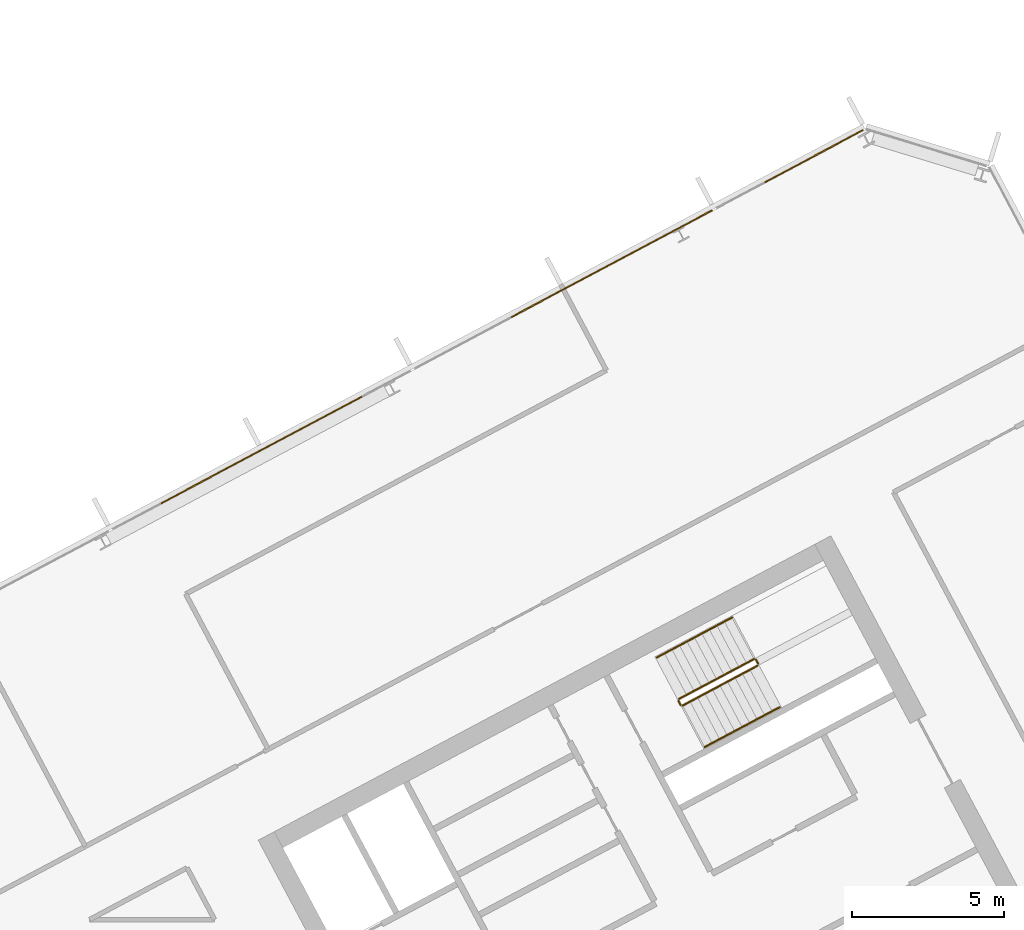
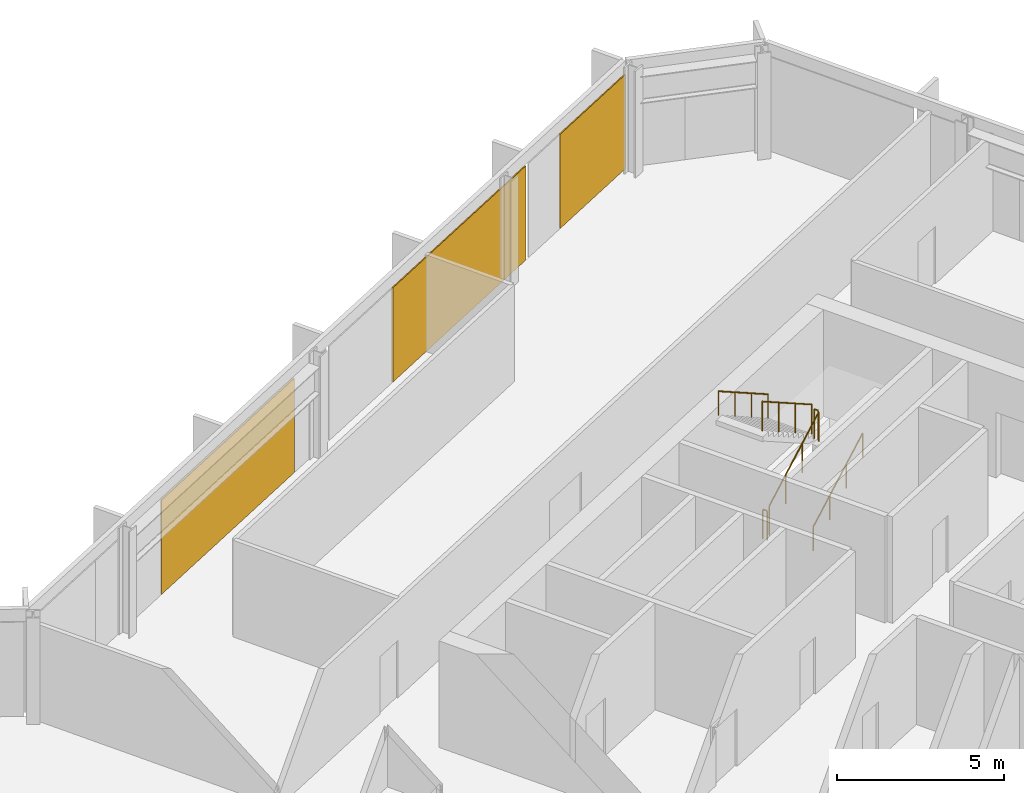
# One storey, part 25 of 26: 6 railings, 3 coverings, 1 element without a shape of its own.
"""IFC4 building model written with IfcOpenShell, lengths in metres."""

from ifc_helpers import new_model, si_unit, direction, frame, origin, origin_2d, place, context, subcontext, project, spatial, polyline, rectangle, outline, extrude, material, layer, layer_set, type_object, element, aggregate, save


model = new_model("IFC4")

# Units and contexts
model_context = context("Model", 3, precision=1e-05, world=origin(), true_north=direction((0.0, 1.0)))
body_context = subcontext(model_context, "Body", "Model", "MODEL_VIEW")
ifc_project = project(units=[si_unit("LENGTHUNIT", "METRE"), si_unit("AREAUNIT", "SQUARE_METRE"), si_unit("VOLUMEUNIT", "CUBIC_METRE"), si_unit("PLANEANGLEUNIT", "RADIAN"), si_unit("MASSUNIT", "GRAM", prefix="KILO")], contexts=[model_context])

# Site, building, storey
site_placement = place(None, origin())
site = spatial("IfcSite", under=ifc_project, at=site_placement, CompositionType="ELEMENT")
building_placement = place(site_placement, origin())
building = spatial("IfcBuilding", under=site, at=building_placement, Name="Cormorant Relay Tower", CompositionType="ELEMENT")
storey_placement = place(building_placement, frame((0.0, 0.0, 228.60009765625)))
storey = spatial("IfcBuildingStorey", under=building, at=storey_placement, Name="L50", CompositionType="ELEMENT", Elevation=228.60009765625)

# Curtain wall, coverings
ifc_material_1 = material(Name="Aluminium 6063-T6 anodised bronze", Category="aluminium")
ifc_layer_1 = layer(ifc_material_1, 0.199951171875)
ifc_layer_set_1 = layer_set([ifc_layer_1], Name="CW1 unitised bronze curtain wall with vertical fins")
curtain_wall_type = type_object("IfcCurtainWallType", Name="CW1 unitised bronze curtain wall with vertical fins", PredefinedType="NOTDEFINED", material=ifc_layer_set_1)
curtain_wall_placement = place(storey_placement, origin())
curtain_wall = element("IfcCurtainWall", 1, at=curtain_wall_placement, inside=storey, type_object=curtain_wall_type, Name="CW1 curtain wall 8", PredefinedType="NOTDEFINED")
ifc_material_2 = material(Name="Pale bronze anodised aluminium insulated panel", Category="aluminium")
ifc_layer_2 = layer(ifc_material_2, 0.0400390625)
ifc_layer_set_2 = layer_set([ifc_layer_2], Name="CW1 pale bronze insulated panel 40")
covering_type = type_object("IfcCoveringType", Name="CW1 pale bronze insulated panel 40", PredefinedType="CLADDING", material=ifc_layer_set_2)
covering_1_placement = place(storey_placement, frame((28.16943359375, 38.78466796875, 0.0), z_axis=(0.0, 0.0, 1.0), x_axis=(-0.882947592859, -0.469471562786, 0.0)))
covering_1 = element("IfcCovering", 2, at=covering_1_placement, type_object=covering_type, Name="CW1 panel S00", PredefinedType="CLADDING", context=body_context, shape_type="SweptSolid", body=[
    extrude(rectangle(XDim=3.68896484375, YDim=0.0400390625, at=origin_2d()), origin(), (0.0, 0.0, 1.0), 3.449951171875),
])
covering_2_placement = place(storey_placement, frame((21.49560546875, 35.236083984375, 0.0), z_axis=(0.0, 0.0, 1.0), x_axis=(-0.882947592859, -0.469471562786, 0.0)))
covering_2 = element("IfcCovering", 3, at=covering_2_placement, type_object=covering_type, Name="CW1 panel S02", PredefinedType="CLADDING", context=body_context, shape_type="SweptSolid", body=[
    extrude(rectangle(XDim=7.528076171875, YDim=0.0400390625, at=origin_2d()), origin(), (0.0, 0.0, 1.0), 3.449951171875),
])
covering_3_placement = place(storey_placement, frame((9.948486328125, 29.09619140625, 0.0), z_axis=(0.0, 0.0, 1.0), x_axis=(-0.882947592859, -0.469471562786, 0.0)))
covering_3 = element("IfcCovering", 4, at=covering_3_placement, type_object=covering_type, Name="CW1 panel S05", PredefinedType="CLADDING", context=body_context, shape_type="SweptSolid", body=[
    extrude(rectangle(XDim=7.528076171875, YDim=0.0400390625, at=origin_2d()), origin(), (0.0, 0.0, 1.0), 3.449951171875),
])
aggregate(curtain_wall, [covering_1, covering_2, covering_3])

# Railings
ifc_material_3 = material(Name="Steel ASTM A572 Grade 50 (Fy 345 MPa)", Category="steel")
railing_type_1 = type_object("IfcRailingType", Name="Stair guard 1100", PredefinedType="GUARDRAIL", material=ifc_material_3)
railing_1_placement = place(storey_placement, frame((23.8408203125, 20.6611328125, 0.17724609375)))
element("IfcRailing", 5, at=railing_1_placement, inside=storey, type_object=railing_type_1, Name="L50 B2 stair guard 1", PredefinedType="GUARDRAIL", context=body_context, shape_type="SweptSolid", body=[
    extrude(outline(polyline([(0.022216796875, 0.00927734375), (0.00927734375, 0.022216796875), (-0.00927734375, 0.022216796875), (-0.022216796875, 0.00927734375), (-0.022216796875, -0.00927734375), (-0.00927734375, -0.022216796875), (0.00927734375, -0.022216796875), (0.022216796875, -0.00927734375), (0.022216796875, 0.00927734375)])), frame((0.0, 0.0, 1.076171875), z_axis=(0.746033882577, 0.396627473466, 0.534901947407), x_axis=(-0.469429322983, 0.882970050864, 0.0)), (0.0, 0.0, 1.0), 3.31396484375),
    extrude(outline(polyline([(0.019287109375, 0.008056640625), (0.008056640625, 0.019287109375), (-0.008056640625, 0.019287109375), (-0.019287109375, 0.008056640625), (-0.019287109375, -0.008056640625), (-0.008056640625, -0.019287109375), (0.008056640625, -0.019287109375), (0.019287109375, -0.008056640625), (0.019287109375, 0.008056640625)])), origin(), (0.0, 0.0, 1.0), 1.052001953125),
    extrude(outline(polyline([(0.019287109375, 0.008056640625), (0.008056640625, 0.019287109375), (-0.008056640625, 0.019287109375), (-0.019287109375, 0.008056640625), (-0.019287109375, -0.008056640625), (-0.008056640625, -0.019287109375), (0.008056640625, -0.019287109375), (0.019287109375, -0.008056640625), (0.019287109375, 0.008056640625)])), frame((0.82421875, 0.438232421875, 0.5908203125)), (0.0, 0.0, 1.0), 1.052001953125),
    extrude(outline(polyline([(0.019287109375, 0.008056640625), (0.008056640625, 0.019287109375), (-0.008056640625, 0.019287109375), (-0.019287109375, 0.008056640625), (-0.019287109375, -0.008056640625), (-0.008056640625, -0.019287109375), (0.008056640625, -0.019287109375), (0.019287109375, -0.008056640625), (0.019287109375, 0.008056640625)])), frame((1.648193359375, 0.876220703125, 1.181884765625)), (0.0, 0.0, 1.0), 1.052001953125),
    extrude(outline(polyline([(0.019287109375, 0.008056640625), (0.008056640625, 0.019287109375), (-0.008056640625, 0.019287109375), (-0.019287109375, 0.008056640625), (-0.019287109375, -0.008056640625), (-0.008056640625, -0.019287109375), (0.008056640625, -0.019287109375), (0.019287109375, -0.008056640625), (0.019287109375, 0.008056640625)])), frame((2.472412109375, 1.314453125, 1.772705078125)), (0.0, 0.0, 1.0), 1.052001953125),
])
railing_2_placement = place(storey_placement, frame((26.333740234375, 22.043212890625, 1.949951171875)))
element("IfcRailing", 6, at=railing_2_placement, inside=storey, type_object=railing_type_1, Name="L50 B2 stair guard 2", PredefinedType="GUARDRAIL", context=body_context, shape_type="SweptSolid", body=[
    extrude(outline(polyline([(0.022216796875, 0.00927734375), (0.00927734375, 0.022216796875), (-0.00927734375, 0.022216796875), (-0.022216796875, 0.00927734375), (-0.022216796875, -0.00927734375), (-0.00927734375, -0.022216796875), (0.00927734375, -0.022216796875), (0.022216796875, -0.00927734375), (0.022216796875, 0.00927734375)])), frame((0.0, 0.0, 1.076171875), z_axis=(-0.469234640946, 0.883073525669, 0.0), x_axis=(-0.883073525669, -0.469234640946, 0.0)), (0.0, 0.0, 1.0), 0.14990234375),
    extrude(outline(polyline([(0.019287109375, 0.008056640625), (0.008056640625, 0.019287109375), (-0.008056640625, 0.019287109375), (-0.019287109375, 0.008056640625), (-0.019287109375, -0.008056640625), (-0.008056640625, -0.019287109375), (0.008056640625, -0.019287109375), (0.019287109375, -0.008056640625), (0.019287109375, 0.008056640625)])), origin(), (0.0, 0.0, 1.0), 1.052001953125),
    extrude(outline(polyline([(0.019287109375, 0.008056640625), (0.008056640625, 0.019287109375), (-0.008056640625, 0.019287109375), (-0.019287109375, 0.008056640625), (-0.019287109375, -0.008056640625), (-0.008056640625, -0.019287109375), (0.008056640625, -0.019287109375), (0.019287109375, -0.008056640625), (0.019287109375, 0.008056640625)])), frame((-0.0703125, 0.13232421875, 0.0)), (0.0, 0.0, 1.0), 1.052001953125),
])
railing_3_placement = place(storey_placement, frame((26.19580078125, 22.1962890625, 2.127197265625)))
element("IfcRailing", 7, at=railing_3_placement, inside=storey, type_object=railing_type_1, Name="L50 B2 stair guard 3", PredefinedType="GUARDRAIL", context=body_context, shape_type="SweptSolid", body=[
    extrude(outline(polyline([(0.022216796875, 0.00927734375), (0.00927734375, 0.022216796875), (-0.00927734375, 0.022216796875), (-0.022216796875, 0.00927734375), (-0.022216796875, -0.00927734375), (-0.00927734375, -0.022216796875), (0.00927734375, -0.022216796875), (0.022216796875, -0.00927734375), (0.022216796875, 0.00927734375)])), frame((0.0, 0.0, 1.076171875), z_axis=(-0.746033882577, -0.396627473466, 0.534901947407), x_axis=(0.469429322983, -0.882970050864, 0.0)), (0.0, 0.0, 1.0), 3.31396484375),
    extrude(outline(polyline([(0.019287109375, 0.008056640625), (0.008056640625, 0.019287109375), (-0.008056640625, 0.019287109375), (-0.019287109375, 0.008056640625), (-0.019287109375, -0.008056640625), (-0.008056640625, -0.019287109375), (0.008056640625, -0.019287109375), (0.019287109375, -0.008056640625), (0.019287109375, 0.008056640625)])), origin(), (0.0, 0.0, 1.0), 1.052001953125),
    extrude(outline(polyline([(0.019287109375, 0.008056640625), (0.008056640625, 0.019287109375), (-0.008056640625, 0.019287109375), (-0.019287109375, 0.008056640625), (-0.019287109375, -0.008056640625), (-0.008056640625, -0.019287109375), (0.008056640625, -0.019287109375), (0.019287109375, -0.008056640625), (0.019287109375, 0.008056640625)])), frame((-0.82421875, -0.438232421875, 0.5908203125)), (0.0, 0.0, 1.0), 1.052001953125),
    extrude(outline(polyline([(0.019287109375, 0.008056640625), (0.008056640625, 0.019287109375), (-0.008056640625, 0.019287109375), (-0.019287109375, 0.008056640625), (-0.019287109375, -0.008056640625), (-0.008056640625, -0.019287109375), (0.008056640625, -0.019287109375), (0.019287109375, -0.008056640625), (0.019287109375, 0.008056640625)])), frame((-1.648193359375, -0.876220703125, 1.181884765625)), (0.0, 0.0, 1.0), 1.052001953125),
    extrude(outline(polyline([(0.019287109375, 0.008056640625), (0.008056640625, 0.019287109375), (-0.008056640625, 0.019287109375), (-0.019287109375, 0.008056640625), (-0.019287109375, -0.008056640625), (-0.008056640625, -0.019287109375), (0.008056640625, -0.019287109375), (0.019287109375, -0.008056640625), (0.019287109375, 0.008056640625)])), frame((-2.472412109375, -1.314453125, 1.772705078125)), (0.0, 0.0, 1.0), 1.052001953125),
])
railing_4_placement = place(storey_placement, frame((23.773193359375, 20.681640625, 0.0)))
element("IfcRailing", 8, at=railing_4_placement, inside=storey, type_object=railing_type_1, Name="L50 B2 stair guard 4", PredefinedType="GUARDRAIL", context=body_context, shape_type="SweptSolid", body=[
    extrude(outline(polyline([(0.022216796875, 0.00927734375), (0.00927734375, 0.022216796875), (-0.00927734375, 0.022216796875), (-0.022216796875, 0.00927734375), (-0.022216796875, -0.00927734375), (-0.00927734375, -0.022216796875), (0.00927734375, -0.022216796875), (0.022216796875, -0.00927734375), (0.022216796875, 0.00927734375)])), frame((0.0, 0.0, 1.076171875), z_axis=(-0.46856034887, 0.8834314911, 0.0), x_axis=(-0.8834314911, -0.46856034887, 0.0)), (0.0, 0.0, 1.0), 0.150146484375),
    extrude(outline(polyline([(0.019287109375, 0.008056640625), (0.008056640625, 0.019287109375), (-0.008056640625, 0.019287109375), (-0.019287109375, 0.008056640625), (-0.019287109375, -0.008056640625), (-0.008056640625, -0.019287109375), (0.008056640625, -0.019287109375), (0.019287109375, -0.008056640625), (0.019287109375, 0.008056640625)])), origin(), (0.0, 0.0, 1.0), 1.052001953125),
    extrude(outline(polyline([(0.019287109375, 0.008056640625), (0.008056640625, 0.019287109375), (-0.008056640625, 0.019287109375), (-0.019287109375, 0.008056640625), (-0.019287109375, -0.008056640625), (-0.008056640625, -0.019287109375), (0.008056640625, -0.019287109375), (0.019287109375, -0.008056640625), (0.019287109375, 0.008056640625)])), frame((-0.0703125, 0.132568359375, 0.0)), (0.0, 0.0, 1.0), 1.052001953125),
])
ifc_material_4 = material(Name="Steel ASTM A572 Grade 50 (Fy 345 MPa)", Category="steel")
railing_type_2 = type_object("IfcRailingType", Name="Stair handrail 900", PredefinedType="HANDRAIL", material=ifc_material_4)
railing_5_placement = place(storey_placement, frame((24.568603515625, 19.29248046875, 0.17724609375)))
element("IfcRailing", 9, at=railing_5_placement, inside=storey, type_object=railing_type_2, Name="L50 B2 stair handrail 1", PredefinedType="HANDRAIL", context=body_context, shape_type="SweptSolid", body=[
    extrude(outline(polyline([(0.022216796875, 0.00927734375), (0.00927734375, 0.022216796875), (-0.00927734375, 0.022216796875), (-0.022216796875, 0.00927734375), (-0.022216796875, -0.00927734375), (-0.00927734375, -0.022216796875), (0.00927734375, -0.022216796875), (0.022216796875, -0.00927734375), (0.022216796875, 0.00927734375)])), frame((0.0, 0.0, 0.8759765625), z_axis=(0.746001213114, 0.396649272309, 0.534931345884), x_axis=(-0.469465464807, 0.882950835185, 0.0)), (0.0, 0.0, 1.0), 3.31396484375),
    extrude(outline(polyline([(0.019287109375, 0.008056640625), (0.008056640625, 0.019287109375), (-0.008056640625, 0.019287109375), (-0.019287109375, 0.008056640625), (-0.019287109375, -0.008056640625), (-0.008056640625, -0.019287109375), (0.008056640625, -0.019287109375), (0.019287109375, -0.008056640625), (0.019287109375, 0.008056640625)])), origin(), (0.0, 0.0, 1.0), 0.851806640625),
    extrude(outline(polyline([(0.019287109375, 0.008056640625), (0.008056640625, 0.019287109375), (-0.008056640625, 0.019287109375), (-0.019287109375, 0.008056640625), (-0.019287109375, -0.008056640625), (-0.008056640625, -0.019287109375), (0.008056640625, -0.019287109375), (0.019287109375, -0.008056640625), (0.019287109375, 0.008056640625)])), frame((0.823974609375, 0.438232421875, 0.5908203125)), (0.0, 0.0, 1.0), 0.851806640625),
    extrude(outline(polyline([(0.019287109375, 0.008056640625), (0.008056640625, 0.019287109375), (-0.008056640625, 0.019287109375), (-0.019287109375, 0.008056640625), (-0.019287109375, -0.008056640625), (-0.008056640625, -0.019287109375), (0.008056640625, -0.019287109375), (0.019287109375, -0.008056640625), (0.019287109375, 0.008056640625)])), frame((1.648193359375, 0.876220703125, 1.181884765625)), (0.0, 0.0, 1.0), 0.851806640625),
    extrude(outline(polyline([(0.019287109375, 0.008056640625), (0.008056640625, 0.019287109375), (-0.008056640625, 0.019287109375), (-0.019287109375, 0.008056640625), (-0.019287109375, -0.008056640625), (-0.008056640625, -0.019287109375), (0.008056640625, -0.019287109375), (0.019287109375, -0.008056640625), (0.019287109375, 0.008056640625)])), frame((2.47216796875, 1.314453125, 1.772705078125)), (0.0, 0.0, 1.0), 0.851806640625),
])
railing_6_placement = place(storey_placement, frame((25.468017578125, 23.56494140625, 2.127197265625)))
element("IfcRailing", 10, at=railing_6_placement, inside=storey, type_object=railing_type_2, Name="L50 B2 stair handrail 2", PredefinedType="HANDRAIL", context=body_context, shape_type="SweptSolid", body=[
    extrude(outline(polyline([(0.022216796875, 0.00927734375), (0.00927734375, 0.022216796875), (-0.00927734375, 0.022216796875), (-0.022216796875, 0.00927734375), (-0.022216796875, -0.00927734375), (-0.00927734375, -0.022216796875), (0.00927734375, -0.022216796875), (0.022216796875, -0.00927734375), (0.022216796875, 0.00927734375)])), frame((0.0, 0.0, 0.8759765625), z_axis=(-0.745979412481, -0.396711350603, 0.534915713414), x_axis=(0.469533439143, -0.882914689835, 0.0)), (0.0, 0.0, 1.0), 3.31396484375),
    extrude(outline(polyline([(0.019287109375, 0.008056640625), (0.008056640625, 0.019287109375), (-0.008056640625, 0.019287109375), (-0.019287109375, 0.008056640625), (-0.019287109375, -0.008056640625), (-0.008056640625, -0.019287109375), (0.008056640625, -0.019287109375), (0.019287109375, -0.008056640625), (0.019287109375, 0.008056640625)])), origin(), (0.0, 0.0, 1.0), 0.851806640625),
    extrude(outline(polyline([(0.019287109375, 0.008056640625), (0.008056640625, 0.019287109375), (-0.008056640625, 0.019287109375), (-0.019287109375, 0.008056640625), (-0.019287109375, -0.008056640625), (-0.008056640625, -0.019287109375), (0.008056640625, -0.019287109375), (0.019287109375, -0.008056640625), (0.019287109375, 0.008056640625)])), frame((-0.823974609375, -0.438232421875, 0.5908203125)), (0.0, 0.0, 1.0), 0.851806640625),
    extrude(outline(polyline([(0.019287109375, 0.008056640625), (0.008056640625, 0.019287109375), (-0.008056640625, 0.019287109375), (-0.019287109375, 0.008056640625), (-0.019287109375, -0.008056640625), (-0.008056640625, -0.019287109375), (0.008056640625, -0.019287109375), (0.019287109375, -0.008056640625), (0.019287109375, 0.008056640625)])), frame((-1.648193359375, -0.87646484375, 1.181884765625)), (0.0, 0.0, 1.0), 0.851806640625),
    extrude(outline(polyline([(0.019287109375, 0.008056640625), (0.008056640625, 0.019287109375), (-0.008056640625, 0.019287109375), (-0.019287109375, 0.008056640625), (-0.019287109375, -0.008056640625), (-0.008056640625, -0.019287109375), (0.008056640625, -0.019287109375), (0.019287109375, -0.008056640625), (0.019287109375, 0.008056640625)])), frame((-2.47216796875, -1.314697265625, 1.772705078125)), (0.0, 0.0, 1.0), 0.851806640625),
])

save(model, "model.ifc")
